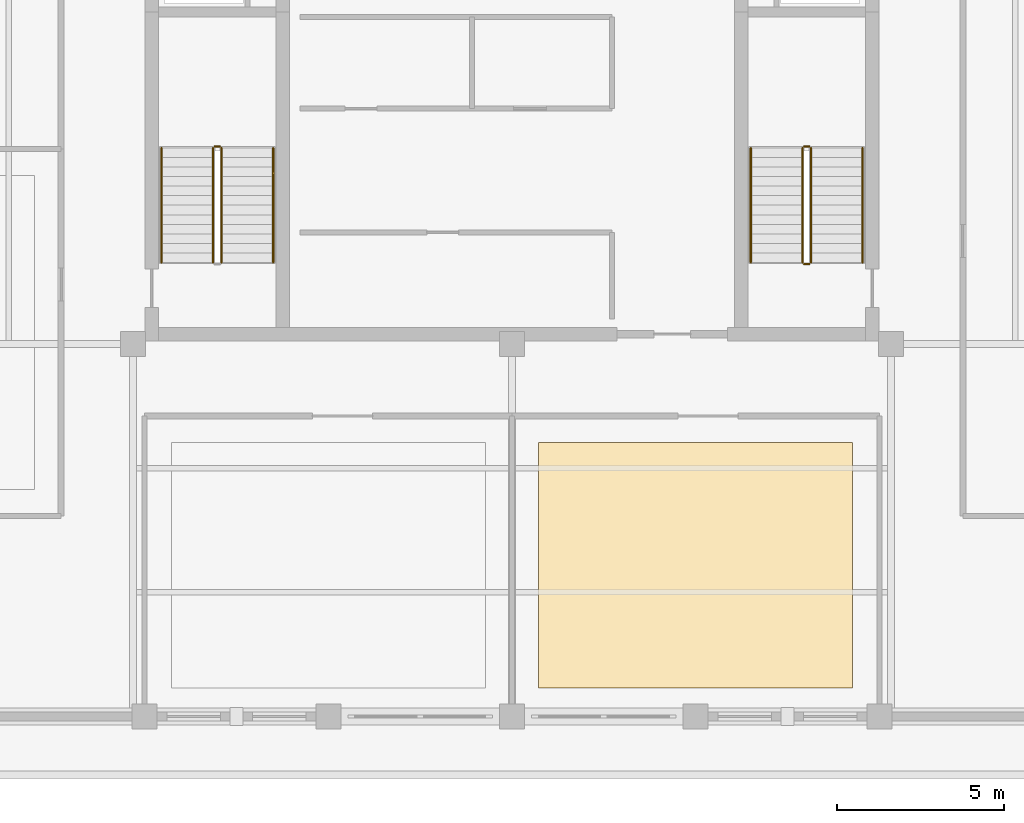
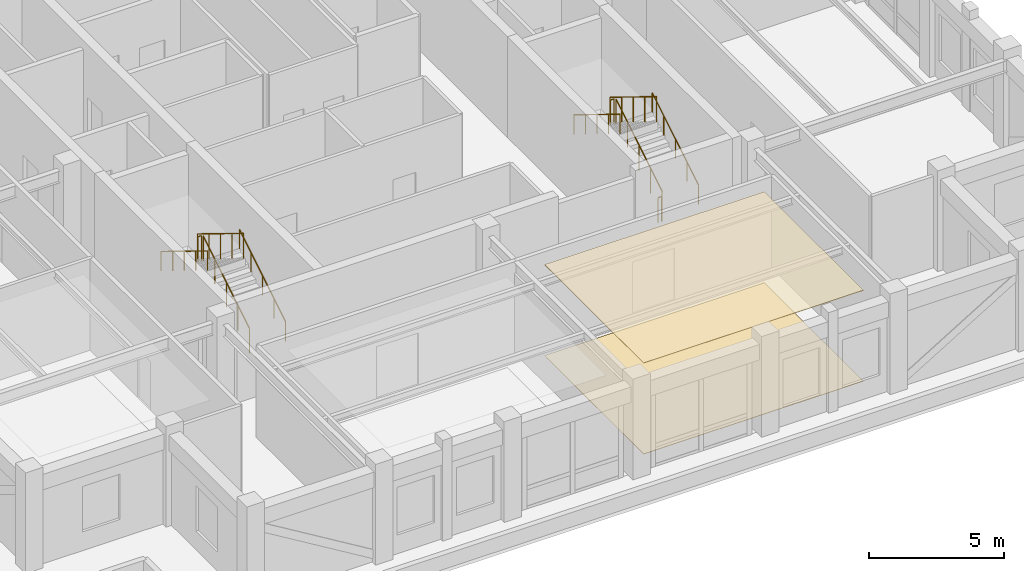
# One storey, part 12 of 13: 11 railings, 2 coverings.
"""IFC4 building model written with IfcOpenShell, lengths in metres."""

from ifc_helpers import new_model, si_unit, direction, frame, origin, origin_2d, place, context, subcontext, project, spatial, polyline, circle, outline, extrude, material, layer, layer_set, type_object, element, save


model = new_model("IFC4")

# Units and contexts
model_context = context("Model", 3, precision=1e-05, world=origin(), true_north=direction((0.0, 1.0)))
body_context = subcontext(model_context, "Body", "Model", "MODEL_VIEW")
ifc_project = project(units=[si_unit("LENGTHUNIT", "METRE"), si_unit("AREAUNIT", "SQUARE_METRE"), si_unit("VOLUMEUNIT", "CUBIC_METRE"), si_unit("PLANEANGLEUNIT", "RADIAN"), si_unit("MASSUNIT", "GRAM", prefix="KILO")], contexts=[model_context])

# Site, building, storey
site_placement = place(None, origin())
site = spatial("IfcSite", under=ifc_project, at=site_placement, CompositionType="ELEMENT")
building_placement = place(site_placement, origin())
building = spatial("IfcBuilding", under=site, at=building_placement, Name="Nhamokura Convention Tower", CompositionType="ELEMENT")
storey_placement = place(building_placement, frame((0.0, 0.0, 257.60009765625)))
storey = spatial("IfcBuildingStorey", under=building, at=storey_placement, Name="L63", CompositionType="ELEMENT", Elevation=257.60009765625)

# Covering
ifc_material_1 = material(Name="Mineral-fibre acoustic ceiling tile", Category="gypsum")
ifc_layer_1 = layer(ifc_material_1, 0.02490234375)
ifc_layer_set_1 = layer_set([ifc_layer_1], Name="AcousticTileCeiling_25")
covering_type_1 = type_object("IfcCoveringType", Name="AcousticTileCeiling_25", PredefinedType="CEILING", material=ifc_layer_set_1)
covering_1_placement = place(storey_placement, frame((0.0, 0.0, 4.10498046875)))
element("IfcCovering", 1, at=covering_1_placement, inside=storey, type_object=covering_type_1, Name="L63 Suspended Ceiling 02", PredefinedType="CEILING", context=body_context, shape_type="SweptSolid", body=[
    extrude(outline(polyline([(32.800048828125, 10.360107421875), (42.199951171875, 10.360107421875), (42.199951171875, 17.699951171875), (32.800048828125, 17.699951171875), (32.800048828125, 10.360107421875)])), origin(), (0.0, 0.0, 1.0), 0.02490234375),
])

# Railings
ifc_material_2 = material(Name="Anodised bronze stainless steel", Category="steel")
railing_type_1 = type_object("IfcRailingType", Name="StairWallHandrail_900", PredefinedType="HANDRAIL", material=ifc_material_2)
railing_1_placement = place(storey_placement, frame((24.85009765625, 23.10009765625, 0.1748046875)))
element("IfcRailing", 2, at=railing_1_placement, inside=storey, type_object=railing_type_1, Name="L63 ST-01 stair handrail 1", PredefinedType="HANDRAIL", context=body_context, shape_type="SweptSolid", body=[
    extrude(circle(Radius=0.02392578125, at=origin_2d()), frame((0.0, 0.0, 0.8759765625), z_axis=(0.0, 0.852155044755, 0.523289384279), x_axis=(-1.0, 0.0, 0.0)), (0.0, 0.0, 1.0), 4.01318359375),
    extrude(circle(Radius=0.02099609375, at=origin_2d()), origin(), (0.0, 0.0, 1.0), 0.851806640625),
    extrude(circle(Radius=0.02099609375, at=origin_2d()), frame((0.0, 0.85498046875, 0.52490234375)), (0.0, 0.0, 1.0), 0.851806640625),
    extrude(circle(Radius=0.02099609375, at=origin_2d()), frame((0.0, 1.7099609375, 1.050048828125)), (0.0, 0.0, 1.0), 0.851806640625),
    extrude(circle(Radius=0.02099609375, at=origin_2d()), frame((0.0, 2.56494140625, 1.5751953125)), (0.0, 0.0, 1.0), 0.851806640625),
    extrude(circle(Radius=0.02099609375, at=origin_2d()), frame((0.0, 3.419921875, 2.10009765625)), (0.0, 0.0, 1.0), 0.851806640625),
])
railing_2_placement = place(storey_placement, frame((21.5, 26.52001953125, 2.449951171875)))
element("IfcRailing", 3, at=railing_2_placement, inside=storey, type_object=railing_type_1, Name="L63 ST-01 stair handrail 2", PredefinedType="HANDRAIL", context=body_context, shape_type="SweptSolid", body=[
    extrude(circle(Radius=0.02392578125, at=origin_2d()), frame((0.0, 0.0, 0.8759765625), z_axis=(0.0, -0.852182171552, 0.523245206847), x_axis=(1.0, 0.0, 0.0)), (0.0, 0.0, 1.0), 4.01318359375),
    extrude(circle(Radius=0.02099609375, at=origin_2d()), origin(), (0.0, 0.0, 1.0), 0.851806640625),
    extrude(circle(Radius=0.02099609375, at=origin_2d()), frame((0.0, -0.85498046875, 0.52490234375)), (0.0, 0.0, 1.0), 0.851806640625),
    extrude(circle(Radius=0.02099609375, at=origin_2d()), frame((0.0, -1.7099609375, 1.0498046875)), (0.0, 0.0, 1.0), 0.851806640625),
    extrude(circle(Radius=0.02099609375, at=origin_2d()), frame((0.0, -2.56494140625, 1.574951171875)), (0.0, 0.0, 1.0), 0.851806640625),
    extrude(circle(Radius=0.02099609375, at=origin_2d()), frame((0.0, -3.419921875, 2.099853515625)), (0.0, 0.0, 1.0), 0.851806640625),
])
railing_3_placement = place(storey_placement, frame((42.5, 23.10009765625, 0.1748046875)))
element("IfcRailing", 4, at=railing_3_placement, inside=storey, type_object=railing_type_1, Name="L63 ST-02 stair handrail 1", PredefinedType="HANDRAIL", context=body_context, shape_type="SweptSolid", body=[
    extrude(circle(Radius=0.02392578125, at=origin_2d()), frame((0.0, 0.0, 0.8759765625), z_axis=(0.0, 0.852155044755, 0.523289384279), x_axis=(-1.0, 0.0, 0.0)), (0.0, 0.0, 1.0), 4.01318359375),
    extrude(circle(Radius=0.02099609375, at=origin_2d()), origin(), (0.0, 0.0, 1.0), 0.851806640625),
    extrude(circle(Radius=0.02099609375, at=origin_2d()), frame((0.0, 0.85498046875, 0.52490234375)), (0.0, 0.0, 1.0), 0.851806640625),
    extrude(circle(Radius=0.02099609375, at=origin_2d()), frame((0.0, 1.7099609375, 1.050048828125)), (0.0, 0.0, 1.0), 0.851806640625),
    extrude(circle(Radius=0.02099609375, at=origin_2d()), frame((0.0, 2.56494140625, 1.5751953125)), (0.0, 0.0, 1.0), 0.851806640625),
    extrude(circle(Radius=0.02099609375, at=origin_2d()), frame((0.0, 3.419921875, 2.10009765625)), (0.0, 0.0, 1.0), 0.851806640625),
])
railing_4_placement = place(storey_placement, frame((39.14990234375, 26.52001953125, 2.449951171875)))
element("IfcRailing", 5, at=railing_4_placement, inside=storey, type_object=railing_type_1, Name="L63 ST-02 stair handrail 2", PredefinedType="HANDRAIL", context=body_context, shape_type="SweptSolid", body=[
    extrude(circle(Radius=0.02392578125, at=origin_2d()), frame((0.0, 0.0, 0.8759765625), z_axis=(0.0, -0.852182171552, 0.523245206847), x_axis=(1.0, 0.0, 0.0)), (0.0, 0.0, 1.0), 4.01318359375),
    extrude(circle(Radius=0.02099609375, at=origin_2d()), origin(), (0.0, 0.0, 1.0), 0.851806640625),
    extrude(circle(Radius=0.02099609375, at=origin_2d()), frame((0.0, -0.85498046875, 0.52490234375)), (0.0, 0.0, 1.0), 0.851806640625),
    extrude(circle(Radius=0.02099609375, at=origin_2d()), frame((0.0, -1.7099609375, 1.0498046875)), (0.0, 0.0, 1.0), 0.851806640625),
    extrude(circle(Radius=0.02099609375, at=origin_2d()), frame((0.0, -2.56494140625, 1.574951171875)), (0.0, 0.0, 1.0), 0.851806640625),
    extrude(circle(Radius=0.02099609375, at=origin_2d()), frame((0.0, -3.419921875, 2.099853515625)), (0.0, 0.0, 1.0), 0.851806640625),
])
ifc_material_3 = material(Name="Painted tubular steel", Category="steel")
railing_type_2 = type_object("IfcRailingType", Name="StairWellGuardrail_1150", PredefinedType="GUARDRAIL", material=ifc_material_3)
railing_5_placement = place(storey_placement, frame((23.300048828125, 23.10009765625, 0.1748046875)))
element("IfcRailing", 6, at=railing_5_placement, inside=storey, type_object=railing_type_2, Name="L63 ST-01 stair guard 1", PredefinedType="GUARDRAIL", context=body_context, shape_type="SweptSolid", body=[
    extrude(circle(Radius=0.02392578125, at=origin_2d()), frame((0.0, 0.0, 1.1259765625), z_axis=(0.0, 0.852155044755, 0.523289384279), x_axis=(-1.0, 0.0, 0.0)), (0.0, 0.0, 1.0), 4.01318359375),
    extrude(circle(Radius=0.02099609375, at=origin_2d()), origin(), (0.0, 0.0, 1.0), 1.101806640625),
    extrude(circle(Radius=0.02099609375, at=origin_2d()), frame((0.0, 0.85498046875, 0.52490234375)), (0.0, 0.0, 1.0), 1.101806640625),
    extrude(circle(Radius=0.02099609375, at=origin_2d()), frame((0.0, 1.7099609375, 1.050048828125)), (0.0, 0.0, 1.0), 1.101806640625),
    extrude(circle(Radius=0.02099609375, at=origin_2d()), frame((0.0, 2.56494140625, 1.5751953125)), (0.0, 0.0, 1.0), 1.101806640625),
    extrude(circle(Radius=0.02099609375, at=origin_2d()), frame((0.0, 3.419921875, 2.10009765625)), (0.0, 0.0, 1.0), 1.101806640625),
])
railing_6_placement = place(storey_placement, frame((23.25, 26.570068359375, 2.27490234375)))
element("IfcRailing", 7, at=railing_6_placement, inside=storey, type_object=railing_type_2, Name="L63 ST-01 stair guard 2", PredefinedType="GUARDRAIL", context=body_context, shape_type="SweptSolid", body=[
    extrude(circle(Radius=0.02392578125, at=origin_2d()), frame((0.0, 0.0, 1.1259765625), z_axis=(-1.0, 0.0, 0.0), x_axis=(0.0, -1.0, 0.0)), (0.0, 0.0, 1.0), 0.14990234375),
    extrude(circle(Radius=0.02099609375, at=origin_2d()), origin(), (0.0, 0.0, 1.0), 1.101806640625),
    extrude(circle(Radius=0.02099609375, at=origin_2d()), frame((-0.14990234375, 0.0, 0.0)), (0.0, 0.0, 1.0), 1.101806640625),
])
railing_7_placement = place(storey_placement, frame((23.050048828125, 26.52001953125, 2.449951171875)))
element("IfcRailing", 8, at=railing_7_placement, inside=storey, type_object=railing_type_2, Name="L63 ST-01 stair guard 3", PredefinedType="GUARDRAIL", context=body_context, shape_type="SweptSolid", body=[
    extrude(circle(Radius=0.02392578125, at=origin_2d()), frame((0.0, 0.0, 1.1259765625), z_axis=(0.0, -0.852182171552, 0.523245206847), x_axis=(1.0, 0.0, 0.0)), (0.0, 0.0, 1.0), 4.01318359375),
    extrude(circle(Radius=0.02099609375, at=origin_2d()), origin(), (0.0, 0.0, 1.0), 1.101806640625),
    extrude(circle(Radius=0.02099609375, at=origin_2d()), frame((0.0, -0.85498046875, 0.52490234375)), (0.0, 0.0, 1.0), 1.101806640625),
    extrude(circle(Radius=0.02099609375, at=origin_2d()), frame((0.0, -1.7099609375, 1.0498046875)), (0.0, 0.0, 1.0), 1.101806640625),
    extrude(circle(Radius=0.02099609375, at=origin_2d()), frame((0.0, -2.56494140625, 1.574951171875)), (0.0, 0.0, 1.0), 1.101806640625),
    extrude(circle(Radius=0.02099609375, at=origin_2d()), frame((0.0, -3.419921875, 2.099853515625)), (0.0, 0.0, 1.0), 1.101806640625),
])
railing_8_placement = place(storey_placement, frame((40.949951171875, 23.10009765625, 0.1748046875)))
element("IfcRailing", 9, at=railing_8_placement, inside=storey, type_object=railing_type_2, Name="L63 ST-02 stair guard 1", PredefinedType="GUARDRAIL", context=body_context, shape_type="SweptSolid", body=[
    extrude(circle(Radius=0.02392578125, at=origin_2d()), frame((0.0, 0.0, 1.1259765625), z_axis=(0.0, 0.852155044755, 0.523289384279), x_axis=(-1.0, 0.0, 0.0)), (0.0, 0.0, 1.0), 4.01318359375),
    extrude(circle(Radius=0.02099609375, at=origin_2d()), origin(), (0.0, 0.0, 1.0), 1.101806640625),
    extrude(circle(Radius=0.02099609375, at=origin_2d()), frame((0.0, 0.85498046875, 0.52490234375)), (0.0, 0.0, 1.0), 1.101806640625),
    extrude(circle(Radius=0.02099609375, at=origin_2d()), frame((0.0, 1.7099609375, 1.050048828125)), (0.0, 0.0, 1.0), 1.101806640625),
    extrude(circle(Radius=0.02099609375, at=origin_2d()), frame((0.0, 2.56494140625, 1.5751953125)), (0.0, 0.0, 1.0), 1.101806640625),
    extrude(circle(Radius=0.02099609375, at=origin_2d()), frame((0.0, 3.419921875, 2.10009765625)), (0.0, 0.0, 1.0), 1.101806640625),
])
railing_9_placement = place(storey_placement, frame((40.89990234375, 26.570068359375, 2.27490234375)))
element("IfcRailing", 10, at=railing_9_placement, inside=storey, type_object=railing_type_2, Name="L63 ST-02 stair guard 2", PredefinedType="GUARDRAIL", context=body_context, shape_type="SweptSolid", body=[
    extrude(circle(Radius=0.02392578125, at=origin_2d()), frame((0.0, 0.0, 1.1259765625), z_axis=(-1.0, 0.0, 0.0), x_axis=(0.0, -1.0, 0.0)), (0.0, 0.0, 1.0), 0.14990234375),
    extrude(circle(Radius=0.02099609375, at=origin_2d()), origin(), (0.0, 0.0, 1.0), 1.101806640625),
    extrude(circle(Radius=0.02099609375, at=origin_2d()), frame((-0.14990234375, 0.0, 0.0)), (0.0, 0.0, 1.0), 1.101806640625),
])
railing_10_placement = place(storey_placement, frame((40.699951171875, 26.52001953125, 2.449951171875)))
element("IfcRailing", 11, at=railing_10_placement, inside=storey, type_object=railing_type_2, Name="L63 ST-02 stair guard 3", PredefinedType="GUARDRAIL", context=body_context, shape_type="SweptSolid", body=[
    extrude(circle(Radius=0.02392578125, at=origin_2d()), frame((0.0, 0.0, 1.1259765625), z_axis=(0.0, -0.852182171552, 0.523245206847), x_axis=(1.0, 0.0, 0.0)), (0.0, 0.0, 1.0), 4.01318359375),
    extrude(circle(Radius=0.02099609375, at=origin_2d()), origin(), (0.0, 0.0, 1.0), 1.101806640625),
    extrude(circle(Radius=0.02099609375, at=origin_2d()), frame((0.0, -0.85498046875, 0.52490234375)), (0.0, 0.0, 1.0), 1.101806640625),
    extrude(circle(Radius=0.02099609375, at=origin_2d()), frame((0.0, -1.7099609375, 1.0498046875)), (0.0, 0.0, 1.0), 1.101806640625),
    extrude(circle(Radius=0.02099609375, at=origin_2d()), frame((0.0, -2.56494140625, 1.574951171875)), (0.0, 0.0, 1.0), 1.101806640625),
    extrude(circle(Radius=0.02099609375, at=origin_2d()), frame((0.0, -3.419921875, 2.099853515625)), (0.0, 0.0, 1.0), 1.101806640625),
])
railing_11_placement = place(storey_placement, frame((40.89990234375, 23.050048828125, 0.0)))
element("IfcRailing", 12, at=railing_11_placement, inside=storey, type_object=railing_type_2, Name="L63 ST-02 stair guard 4", PredefinedType="GUARDRAIL", context=body_context, shape_type="SweptSolid", body=[
    extrude(circle(Radius=0.02392578125, at=origin_2d()), frame((0.0, 0.0, 1.1259765625), z_axis=(-1.0, 0.0, 0.0), x_axis=(0.0, -1.0, 0.0)), (0.0, 0.0, 1.0), 0.14990234375),
    extrude(circle(Radius=0.02099609375, at=origin_2d()), origin(), (0.0, 0.0, 1.0), 1.101806640625),
    extrude(circle(Radius=0.02099609375, at=origin_2d()), frame((-0.14990234375, 0.0, 0.0)), (0.0, 0.0, 1.0), 1.101806640625),
])

# Covering
ifc_material_4 = material(Name="Acoustic woven hospitality carpet", Category="wood")
ifc_layer_2 = layer(ifc_material_4, 0.014892578125)
ifc_layer_set_2 = layer_set([ifc_layer_2], Name="WovenCarpetFlooring_15")
covering_type_2 = type_object("IfcCoveringType", Name="WovenCarpetFlooring_15", PredefinedType="FLOORING", material=ifc_layer_set_2)
covering_2_placement = place(storey_placement, origin())
element("IfcCovering", 13, at=covering_2_placement, inside=storey, type_object=covering_type_2, Name="L63 Finish Flooring 02", PredefinedType="FLOORING", context=body_context, shape_type="SweptSolid", body=[
    extrude(outline(polyline([(32.800048828125, 10.360107421875), (42.199951171875, 10.360107421875), (42.199951171875, 17.699951171875), (32.800048828125, 17.699951171875), (32.800048828125, 10.360107421875)])), origin(), (0.0, 0.0, 1.0), 0.014892578125),
])

save(model, "model.ifc")
